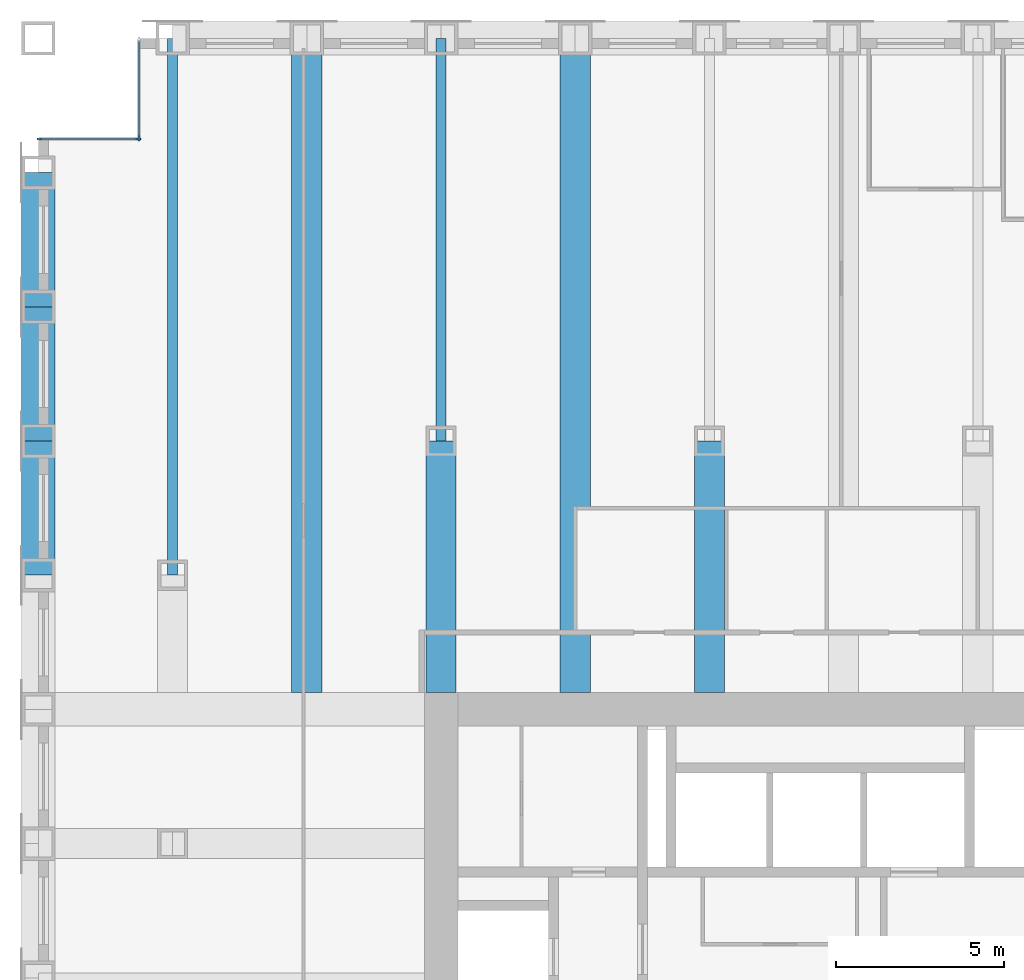
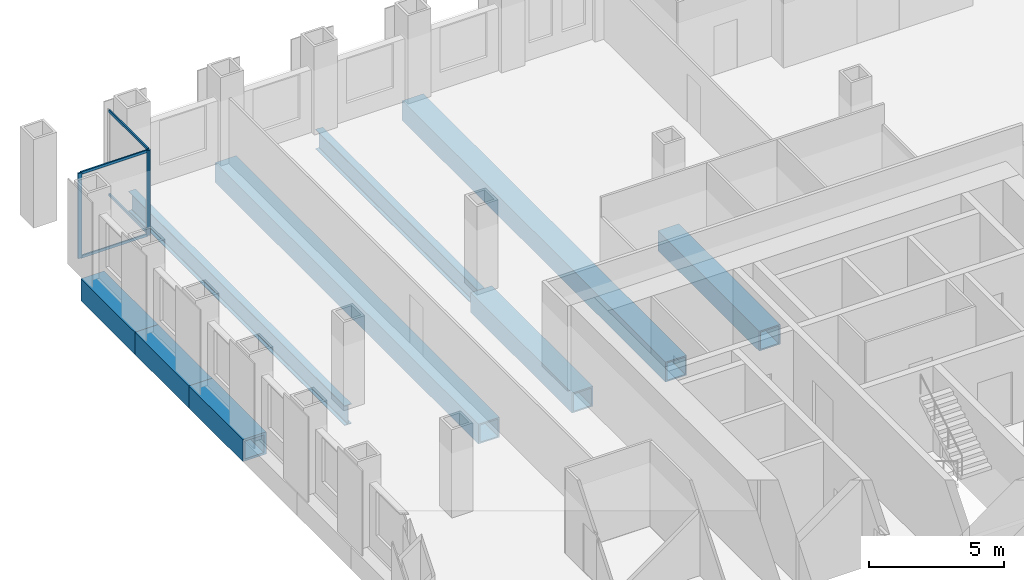
# One storey, part 5 of 13: 9 beams, 7 members, 2 elements without a shape of their own.
"""IFC4 building model written with IfcOpenShell, lengths in metres."""

import ifcopenshell
import ifcopenshell.guid

model = None  # the IFC model being written
_history = None  # IfcOwnerHistory: only IFC2X3 demands one
_inside = {}  # id of a spatial element -> (the spatial element, [elements in it])
_under = {}  # id of a project, library or spatial element -> (it, [spatial elements below it])
_declared = {}  # id of a project -> (the project, [libraries it declares])
_typed = {}  # id of a type object -> (the type object, [elements of that type])
_made_of = {}  # id of a material, layer set ... -> (it, [elements and type objects made of it])


def new_model(schema):
    """Start an empty IFC model of exactly this schema.

    Asked for "IFC4X3", IfcOpenShell would pick the latest addendum, in which some entities
    have other attributes; the version numbers below select the first issue.
    IFC2X3 requires an IfcOwnerHistory on every rooted entity: one is made here for all.
    """
    global model, _history
    if schema == "IFC4X3":
        model = ifcopenshell.file(schema_version=(4, 3, 0, 0))
    else:
        model = ifcopenshell.file(schema=schema)
    _inside.clear()
    _under.clear()
    _declared.clear()
    _typed.clear()
    _made_of.clear()
    _history = None
    if model.schema == "IFC2X3":
        org = make("IfcOrganization", Name="unknown")
        user = make(
            "IfcPersonAndOrganization",
            ThePerson=make("IfcPerson", FamilyName="unknown"),
            TheOrganization=org,
        )
        app = make(
            "IfcApplication",
            ApplicationDeveloper=org,
            Version="unknown",
            ApplicationFullName="unknown",
            ApplicationIdentifier="unknown",
        )
        _history = make(
            "IfcOwnerHistory",
            OwningUser=user,
            OwningApplication=app,
            ChangeAction="ADDED",
            CreationDate=0,
        )
    return model


def make(cls, **values):
    """One entity of the class cls with the attributes given. An attribute that is None is left unset."""
    return model.create_entity(
        cls, **{name: value for name, value in values.items() if value is not None}
    )


def rooted(cls, **values):
    """An entity with a GlobalId (a new one), such as an element, a storey or a relation."""
    return make(cls, GlobalId=ifcopenshell.guid.new(), OwnerHistory=_history, **values)


def si_unit(unit_type, name, prefix=None):
    """IfcSIUnit, for example si_unit("LENGTHUNIT", "METRE", prefix="MILLI")."""
    return make("IfcSIUnit", UnitType=unit_type, Prefix=prefix, Name=name)


def assignment(units):
    """IfcUnitAssignment: the units of a project."""
    return None if units is None else make("IfcUnitAssignment", Units=units)


def point(xyz):
    """IfcCartesianPoint."""
    return None if xyz is None else make("IfcCartesianPoint", Coordinates=xyz)


def direction(xyz):
    """IfcDirection."""
    return None if xyz is None else make("IfcDirection", DirectionRatios=xyz)


def frame(location, z_axis=None, x_axis=None):
    """IfcAxis2Placement3D, a coordinate frame: its origin and axes. An axis left out is left unset."""
    return make(
        "IfcAxis2Placement3D",
        Location=point(location),
        Axis=direction(z_axis),
        RefDirection=direction(x_axis),
    )


def frame_2d(location, x_axis=None):
    """IfcAxis2Placement2D, a coordinate frame in the plane: its origin and x axis."""
    return make(
        "IfcAxis2Placement2D", Location=point(location), RefDirection=direction(x_axis)
    )


def origin():
    """The frame at (0, 0, 0) with its axes left unset."""
    return frame((0.0, 0.0, 0.0))


def origin_2d():
    """The frame at (0, 0) in the plane with its x axis left unset."""
    return frame_2d((0.0, 0.0))


def place(relative_to, where):
    """IfcLocalPlacement: puts the frame where relative to a parent placement (None: the world)."""
    return make(
        "IfcLocalPlacement", PlacementRelTo=relative_to, RelativePlacement=where
    )


def context(
    kind, dimensions, precision=None, world=None, true_north=None, identifier=None
):
    """IfcGeometricRepresentationContext, for example the 3D "Model" context."""
    return make(
        "IfcGeometricRepresentationContext",
        ContextIdentifier=identifier,
        ContextType=kind,
        CoordinateSpaceDimension=dimensions,
        Precision=precision,
        WorldCoordinateSystem=world,
        TrueNorth=true_north,
    )


def subcontext(parent, identifier, kind, view, scale=None):
    """IfcGeometricRepresentationSubContext, for example "Body" below "Model"."""
    return make(
        "IfcGeometricRepresentationSubContext",
        ContextIdentifier=identifier,
        ContextType=kind,
        ParentContext=parent,
        TargetScale=scale,
        TargetView=view,
    )


def project(units=None, contexts=None):
    """IfcProject with its units and contexts."""
    return rooted(
        "IfcProject",
        Name="project",
        RepresentationContexts=contexts,
        UnitsInContext=assignment(units),
    )


def spatial(cls, under=None, at=None, **own):
    """A site, building, storey or space (cls), placed at a placement, below another one or the project."""
    s = rooted(cls, ObjectPlacement=at, **own)
    if under is not None:
        _under.setdefault(under.id(), (under, []))[1].append(s)
    return s


def profile(cls, at=None, kind="AREA", **sizes):
    """A parametric profile (cls). Its sizes go by their IFC names, for example OverallWidth=200.0."""
    return make(cls, ProfileType=kind, Position=at, **sizes)


def rectangle(**sizes):
    """IfcRectangleProfileDef."""
    return profile("IfcRectangleProfileDef", **sizes)


def hollow_rectangle(**sizes):
    """IfcRectangleHollowProfileDef."""
    return profile("IfcRectangleHollowProfileDef", **sizes)


def i_section(**sizes):
    """IfcIShapeProfileDef."""
    return profile("IfcIShapeProfileDef", **sizes)


def extrude(swept, where, along, depth):
    """IfcExtrudedAreaSolid: the profile swept, set in the frame where, extruded along a direction by depth."""
    return make(
        "IfcExtrudedAreaSolid",
        SweptArea=swept,
        Position=where,
        ExtrudedDirection=direction(along),
        Depth=depth,
    )


def shape(context_of_items, identifier, shape_type, items):
    """IfcShapeRepresentation: the items that make up one representation, for example the "Body"."""
    return make(
        "IfcShapeRepresentation",
        ContextOfItems=context_of_items,
        RepresentationIdentifier=identifier,
        RepresentationType=shape_type,
        Items=items,
    )


def material(Name=None, Category=None):
    """IfcMaterial."""
    return make("IfcMaterial", Name=Name, Category=Category)


def material_profile(
    of_material, cross_section, Name=None, Category=None, Priority=None
):
    """IfcMaterialProfile: a cross section and its material."""
    return make(
        "IfcMaterialProfile",
        Name=Name,
        Material=of_material,
        Profile=cross_section,
        Priority=Priority,
        Category=Category,
    )


def profile_set(profiles, Name=None, composite=None):
    """IfcMaterialProfileSet."""
    return make(
        "IfcMaterialProfileSet",
        Name=Name,
        MaterialProfiles=profiles,
        CompositeProfile=composite,
    )


def made_of(thing, what):
    """Note that an element or type object is made of a material, layer set ...; save() writes the relation."""
    if what is not None:
        _made_of.setdefault(what.id(), (what, []))[1].append(thing)
    return thing


def type_object(cls, material=None, **own):
    """A type object (cls), such as IfcWallType, which elements share."""
    return made_of(rooted(cls, **own), material)


def element(
    cls,
    number,
    at=None,
    inside=None,
    cuts=None,
    type_object=None,
    material=None,
    context=None,
    identifier="Body",
    shape_type=None,
    held_by="IfcProductDefinitionShape",
    body=None,
    shapes=None,
    **own,
):
    """One element of the class cls, such as IfcWall. Its Tag is "e" and its number.

    at: its placement. inside: the storey or other place that contains it. cuts: it is an
    opening in that element (IfcRelVoidsElement). A single representation is given by context,
    identifier, shape_type and body (its items); several are given by shapes. held_by: the class
    of the entity that holds the representations. save() writes the other relations.
    """
    e = rooted(cls, Tag="e%d" % number, ObjectPlacement=at, **own)
    if body is not None:
        shapes = [shape(context, identifier, shape_type, body)]
    if shapes is not None:
        e.Representation = make(held_by, Representations=shapes)
    if inside is not None:
        _inside.setdefault(inside.id(), (inside, []))[1].append(e)
    if cuts is not None:
        rooted(
            "IfcRelVoidsElement", RelatingBuildingElement=cuts, RelatedOpeningElement=e
        )
    if type_object is not None:
        _typed.setdefault(type_object.id(), (type_object, []))[1].append(e)
    return made_of(e, material)


def aggregate(whole, parts):
    """IfcRelAggregates: a whole, such as a stair, and the parts it consists of."""
    return rooted("IfcRelAggregates", RelatingObject=whole, RelatedObjects=parts)


def save(model, path):
    """Write the relations noted so far, then the file.

    IfcRelAggregates (storeys below a building ...), IfcRelContainedInSpatialStructure (elements
    in a storey), IfcRelDefinesByType, IfcRelAssociatesMaterial and IfcRelDeclares: one each for
    every whole, place, type object, material and project.
    """
    for whole, parts in _under.values():
        aggregate(whole, parts)
    for where, things in _inside.values():
        rooted(
            "IfcRelContainedInSpatialStructure",
            RelatedElements=things,
            RelatingStructure=where,
        )
    for kind, things in _typed.values():
        rooted("IfcRelDefinesByType", RelatedObjects=things, RelatingType=kind)
    for what, things in _made_of.values():
        rooted("IfcRelAssociatesMaterial", RelatedObjects=things, RelatingMaterial=what)
    for by, libraries in _declared.values():
        rooted("IfcRelDeclares", RelatingContext=by, RelatedDefinitions=libraries)
    model.write(path)


model = new_model("IFC4")

# Units and contexts
model_context = context("Model", 3, precision=1e-05, world=origin(), true_north=direction((0.0, 1.0)))
body_context = subcontext(model_context, "Body", "Model", "MODEL_VIEW")
ifc_project = project(units=[si_unit("LENGTHUNIT", "METRE"), si_unit("AREAUNIT", "SQUARE_METRE"), si_unit("VOLUMEUNIT", "CUBIC_METRE"), si_unit("PLANEANGLEUNIT", "RADIAN"), si_unit("MASSUNIT", "GRAM", prefix="KILO")], contexts=[model_context])

# Site, building, storey
site_placement = place(None, origin())
site = spatial("IfcSite", under=ifc_project, at=site_placement, CompositionType="ELEMENT")
building_placement = place(site_placement, origin())
building = spatial("IfcBuilding", under=site, at=building_placement, Name="Rimbunsela Tower", CompositionType="ELEMENT")
storey_placement = place(building_placement, frame((0.0, 0.0, 195.800048828125)))
storey = spatial("IfcBuildingStorey", under=building, at=storey_placement, Name="L47", CompositionType="ELEMENT", Elevation=195.800048828125)

# Beams
ifc_material_1 = material(Name="Steel BJ 55 (fy 410 MPa)", Category="steel")
ifc_material_profile_1 = material_profile(ifc_material_1, hollow_rectangle(XDim=1.0, YDim=1.0, WallThickness=0.10009765625, at=origin_2d()), Name="BOX 1000x1000x100")
ifc_profile_set_1 = profile_set([ifc_material_profile_1], Name="Steel BJ 55 (fy 410 MPa)")
beam_type_1 = type_object("IfcBeamType", Name="Beam BOX 1000x1000x100", PredefinedType="BEAM", material=ifc_profile_set_1)
for number, where, z_axis, x_axis, name in (
    (1, (6.0, 40.0, -0.650146484375), (0.0, 1.0, 0.0), (-1.0, 0.0, 0.0), "Beam B3 L47"),
    (2, (6.0, 44.0, -0.650146484375), (0.0, 1.0, 0.0), (-1.0, 0.0, 0.0), "Beam B3 L47"),
    (3, (6.0, 48.0, -0.650146484375), (0.0, 1.0, 0.0), (-1.0, 0.0, 0.0), "Beam B3 L47"),
):
    element("IfcBeam", number, at=place(storey_placement, frame(where, z_axis=z_axis, x_axis=x_axis)), inside=storey, type_object=beam_type_1, Name=name, PredefinedType="BEAM", context=body_context, shape_type="SweptSolid", body=[
        extrude(hollow_rectangle(XDim=1.0, YDim=1.0, WallThickness=0.10009765625, at=origin_2d()), origin(), (0.0, 0.0, 1.0), 4.0),
    ])
ifc_material_2 = material(Name="Steel BJ 55 (fy 410 MPa)", Category="steel")
ifc_material_profile_2 = material_profile(ifc_material_2, hollow_rectangle(XDim=0.89990234375, YDim=0.89990234375, WallThickness=0.06005859375, at=origin_2d()), Name="BOX 900x900x60")
ifc_profile_set_2 = profile_set([ifc_material_profile_2], Name="Steel BJ 55 (fy 410 MPa)")
beam_type_2 = type_object("IfcBeamType", Name="Beam BOX 900x900x60", PredefinedType="BEAM", material=ifc_profile_set_2)
beam_1_placement = place(storey_placement, frame((14.0, 36.5, -0.60009765625), z_axis=(0.0, 1.0, 0.0), x_axis=(-1.0, 0.0, 0.0)))
element("IfcBeam", 4, at=beam_1_placement, inside=storey, type_object=beam_type_2, Name="Beam B1 L47", PredefinedType="BEAM", context=body_context, shape_type="SweptSolid", body=[
    extrude(hollow_rectangle(XDim=0.89990234375, YDim=0.89990234375, WallThickness=0.06005859375, at=origin_2d()), origin(), (0.0, 0.0, 1.0), 19.5),
])
beam_2_placement = place(storey_placement, frame((18.0, 36.5, -0.60009765625), z_axis=(0.0, 1.0, 0.0), x_axis=(-1.0, 0.0, 0.0)))
element("IfcBeam", 5, at=beam_2_placement, inside=storey, type_object=beam_type_2, Name="Beam B1 L47", PredefinedType="BEAM", context=body_context, shape_type="SweptSolid", body=[
    extrude(hollow_rectangle(XDim=0.89990234375, YDim=0.89990234375, WallThickness=0.06005859375, at=origin_2d()), origin(), (0.0, 0.0, 1.0), 7.5),
])
beam_3_placement = place(storey_placement, frame((22.0, 36.5, -0.60009765625), z_axis=(0.0, 1.0, 0.0), x_axis=(-1.0, 0.0, 0.0)))
element("IfcBeam", 6, at=beam_3_placement, inside=storey, type_object=beam_type_2, Name="Beam B1 L47", PredefinedType="BEAM", context=body_context, shape_type="SweptSolid", body=[
    extrude(hollow_rectangle(XDim=0.89990234375, YDim=0.89990234375, WallThickness=0.06005859375, at=origin_2d()), origin(), (0.0, 0.0, 1.0), 19.5),
])
beam_4_placement = place(storey_placement, frame((26.0, 36.5, -0.60009765625), z_axis=(0.0, 1.0, 0.0), x_axis=(-1.0, 0.0, 0.0)))
element("IfcBeam", 7, at=beam_4_placement, inside=storey, type_object=beam_type_2, Name="Beam B1 L47", PredefinedType="BEAM", context=body_context, shape_type="SweptSolid", body=[
    extrude(hollow_rectangle(XDim=0.89990234375, YDim=0.89990234375, WallThickness=0.06005859375, at=origin_2d()), origin(), (0.0, 0.0, 1.0), 7.5),
])
ifc_material_3 = material(Name="Steel BJ 55 (fy 410 MPa)", Category="steel")
ifc_material_profile_3 = material_profile(ifc_material_3, i_section(OverallWidth=0.300048828125, OverallDepth=0.89990234375, WebThickness=0.01611328125, FlangeThickness=0.028076171875, FilletRadius=0.028076171875, at=origin_2d()), Name="H 900x300x16x28")
ifc_profile_set_3 = profile_set([ifc_material_profile_3], Name="Steel BJ 55 (fy 410 MPa)")
beam_type_3 = type_object("IfcBeamType", Name="Beam H 900x300x16x28", PredefinedType="BEAM", material=ifc_profile_set_3)
beam_5_placement = place(storey_placement, frame((10.0, 40.0, -0.60009765625), z_axis=(0.0, 1.0, 0.0), x_axis=(-1.0, 0.0, 0.0)))
element("IfcBeam", 8, at=beam_5_placement, inside=storey, type_object=beam_type_3, Name="Beam B2 L47", PredefinedType="BEAM", context=body_context, shape_type="SweptSolid", body=[
    extrude(i_section(OverallWidth=0.300048828125, OverallDepth=0.89990234375, WebThickness=0.01611328125, FlangeThickness=0.028076171875, FilletRadius=0.028076171875, at=origin_2d()), origin(), (0.0, 0.0, 1.0), 16.0),
])
beam_6_placement = place(storey_placement, frame((18.0, 44.0, -0.60009765625), z_axis=(0.0, 1.0, 0.0), x_axis=(-1.0, 0.0, 0.0)))
element("IfcBeam", 9, at=beam_6_placement, inside=storey, type_object=beam_type_3, Name="Beam B2 L47", PredefinedType="BEAM", context=body_context, shape_type="SweptSolid", body=[
    extrude(i_section(OverallWidth=0.300048828125, OverallDepth=0.89990234375, WebThickness=0.01611328125, FlangeThickness=0.028076171875, FilletRadius=0.028076171875, at=origin_2d()), origin(), (0.0, 0.0, 1.0), 12.0),
])

# Curtain wall, member
ifc_material_4 = material(Name="Aluminium curtain wall", Category="aluminium")
curtain_wall_type = type_object("IfcCurtainWallType", Name="Corner glazing", PredefinedType="USERDEFINED", material=ifc_material_4)
curtain_wall_1_placement = place(storey_placement, origin())
curtain_wall_1 = element("IfcCurtainWall", 10, at=curtain_wall_1_placement, inside=storey, type_object=curtain_wall_type, Name="Corner glazing L47", ObjectType="CORNER GLAZING", PredefinedType="USERDEFINED")
ifc_material_5 = material(Name="Aluminium mullion", Category="aluminium")
ifc_material_profile_4 = material_profile(ifc_material_5, rectangle(XDim=0.06005859375, YDim=0.159912109375, at=origin_2d()), Name="Mullion 60x160")
ifc_profile_set_4 = profile_set([ifc_material_profile_4], Name="Aluminium mullion")
member_type_1 = type_object("IfcMemberType", Name="Curtain wall mullion 60x160", PredefinedType="MULLION", material=ifc_profile_set_4)
member_1_placement = place(storey_placement, frame((9.0, 53.030029296875, 0.0), z_axis=(0.0, 0.0, 1.0), x_axis=(1.0, 0.0, 0.0)))
member_1 = element("IfcMember", 11, at=member_1_placement, type_object=member_type_1, Name="CW5 mullion 2", PredefinedType="MULLION", context=body_context, shape_type="SweptSolid", body=[
    extrude(rectangle(XDim=0.06005859375, YDim=0.159912109375, at=origin_2d()), origin(), (0.0, 0.0, 1.0), 3.849853515625),
])

# Curtain wall, members
curtain_wall_2_placement = place(storey_placement, origin())
curtain_wall_2 = element("IfcCurtainWall", 12, at=curtain_wall_2_placement, inside=storey, type_object=curtain_wall_type, Name="Corner glazing L47", ObjectType="CORNER GLAZING", PredefinedType="USERDEFINED")
member_2_placement = place(storey_placement, frame((8.969970703125, 53.0, 0.0), z_axis=(0.0, 0.0, 1.0), x_axis=(0.0, -1.0, 0.0)))
member_2 = element("IfcMember", 13, at=member_2_placement, type_object=member_type_1, Name="CW5 mullion 1", PredefinedType="MULLION", context=body_context, shape_type="SweptSolid", body=[
    extrude(rectangle(XDim=0.06005859375, YDim=0.159912109375, at=origin_2d()), origin(), (0.0, 0.0, 1.0), 3.849853515625),
])
member_3_placement = place(storey_placement, frame((6.030029296875, 53.0, 0.0), z_axis=(0.0, 0.0, 1.0), x_axis=(0.0, -1.0, 0.0)))
member_3 = element("IfcMember", 14, at=member_3_placement, type_object=member_type_1, Name="CW5 mullion 2", PredefinedType="MULLION", context=body_context, shape_type="SweptSolid", body=[
    extrude(rectangle(XDim=0.06005859375, YDim=0.159912109375, at=origin_2d()), origin(), (0.0, 0.0, 1.0), 3.849853515625),
])

# Member
ifc_material_6 = material(Name="Aluminium transom", Category="aluminium")
ifc_material_profile_5 = material_profile(ifc_material_6, rectangle(XDim=0.06005859375, YDim=0.1201171875, at=origin_2d()), Name="Transom 60x120")
ifc_profile_set_5 = profile_set([ifc_material_profile_5], Name="Aluminium transom")
member_type_2 = type_object("IfcMemberType", Name="Curtain wall transom 60x120", PredefinedType="USERDEFINED", material=ifc_profile_set_5)
member_4_placement = place(storey_placement, frame((9.0, 55.93994140625, 0.030029296875), z_axis=(0.0, -1.0, 0.0), x_axis=(1.0, 0.0, 0.0)))
member_4 = element("IfcMember", 15, at=member_4_placement, type_object=member_type_2, Name="CW5 transom 1.1", ObjectType="TRANSOM", PredefinedType="USERDEFINED", context=body_context, shape_type="SweptSolid", body=[
    extrude(rectangle(XDim=0.06005859375, YDim=0.1201171875, at=origin_2d()), origin(), (0.0, 0.0, 1.0), 2.8798828125),
])

member_5_placement = place(storey_placement, frame((9.0, 55.93994140625, 3.820068359375), z_axis=(0.0, -1.0, 0.0), x_axis=(1.0, 0.0, 0.0)))
member_5 = element("IfcMember", 16, at=member_5_placement, type_object=member_type_2, Name="CW5 transom 1.2", ObjectType="TRANSOM", PredefinedType="USERDEFINED", context=body_context, shape_type="SweptSolid", body=[
    extrude(rectangle(XDim=0.06005859375, YDim=0.1201171875, at=origin_2d()), origin(), (0.0, 0.0, 1.0), 2.8798828125),
])

aggregate(curtain_wall_1, [member_1, member_4, member_5])

member_6_placement = place(storey_placement, frame((8.93994140625, 53.0, 0.030029296875), z_axis=(-1.0, 0.0, 0.0), x_axis=(0.0, -1.0, 0.0)))
member_6 = element("IfcMember", 17, at=member_6_placement, type_object=member_type_2, Name="CW5 transom 1.1", ObjectType="TRANSOM", PredefinedType="USERDEFINED", context=body_context, shape_type="SweptSolid", body=[
    extrude(rectangle(XDim=0.06005859375, YDim=0.1201171875, at=origin_2d()), origin(), (0.0, 0.0, 1.0), 2.8798828125),
])

member_7_placement = place(storey_placement, frame((8.93994140625, 53.0, 3.820068359375), z_axis=(-1.0, 0.0, 0.0), x_axis=(0.0, -1.0, 0.0)))
member_7 = element("IfcMember", 18, at=member_7_placement, type_object=member_type_2, Name="CW5 transom 1.2", ObjectType="TRANSOM", PredefinedType="USERDEFINED", context=body_context, shape_type="SweptSolid", body=[
    extrude(rectangle(XDim=0.06005859375, YDim=0.1201171875, at=origin_2d()), origin(), (0.0, 0.0, 1.0), 2.8798828125),
])

aggregate(curtain_wall_2, [member_2, member_3, member_6, member_7])

save(model, "model.ifc")
